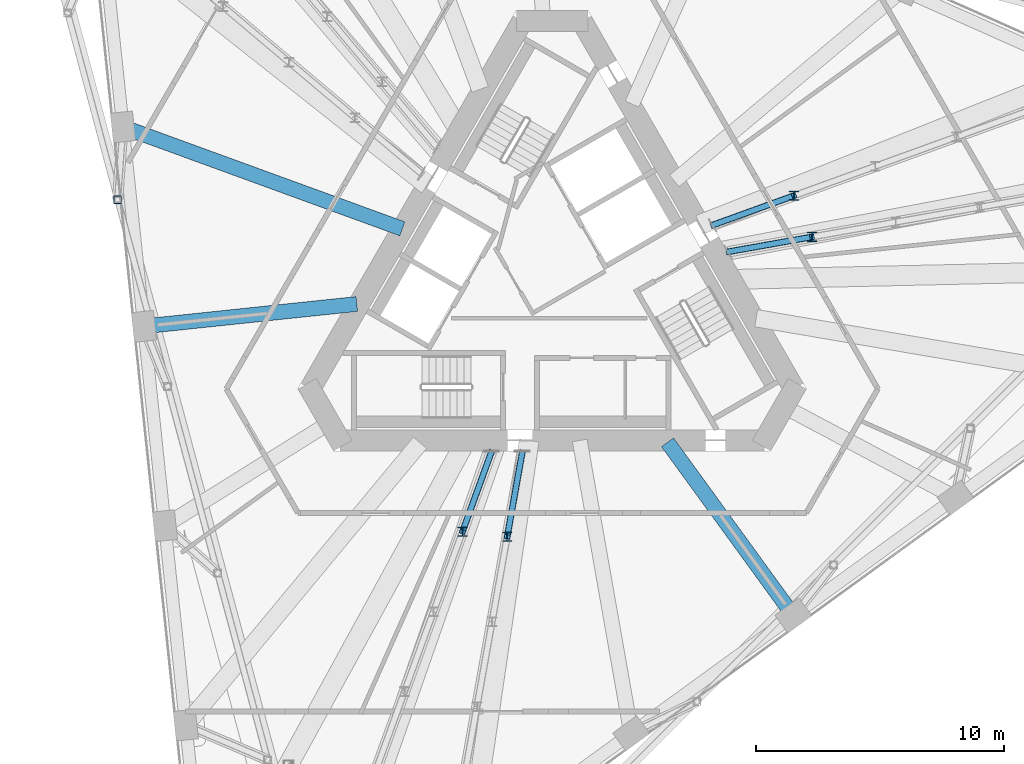
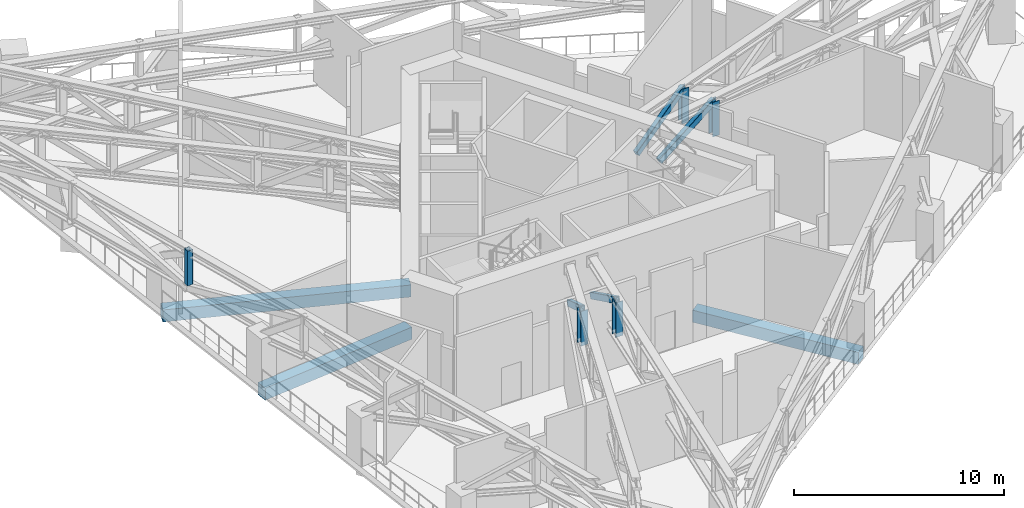
# One storey, part 6 of 26: 9 members, 3 beams.
"""IFC4 building model written with IfcOpenShell, lengths in metres."""

from ifc_helpers import new_model, si_unit, direction, frame, origin, origin_2d, place, context, subcontext, project, spatial, rectangle, hollow_rectangle, i_section, extrude, material, material_profile, profile_set, type_object, element, save


model = new_model("IFC4")

# Units and contexts
model_context = context("Model", 3, precision=1e-05, world=origin(), true_north=direction((0.0, 1.0)))
body_context = subcontext(model_context, "Body", "Model", "MODEL_VIEW")
ifc_project = project(units=[si_unit("LENGTHUNIT", "METRE"), si_unit("AREAUNIT", "SQUARE_METRE"), si_unit("VOLUMEUNIT", "CUBIC_METRE"), si_unit("PLANEANGLEUNIT", "RADIAN"), si_unit("MASSUNIT", "GRAM", prefix="KILO")], contexts=[model_context])

# Site, building, storey
site_placement = place(None, origin())
site = spatial("IfcSite", under=ifc_project, at=site_placement, CompositionType="ELEMENT")
building_placement = place(site_placement, origin())
building = spatial("IfcBuilding", under=site, at=building_placement, Name="Tramontana Tower", CompositionType="ELEMENT")
storey_placement = place(building_placement, frame((0.0, 0.0, 194.800048828125)))
storey = spatial("IfcBuildingStorey", under=building, at=storey_placement, Name="L45", CompositionType="ELEMENT", Elevation=194.800048828125)

# Member
ifc_material_1 = material(Name="Steel ASTM A500 Grade C", Category="steel")
ifc_material_profile_1 = material_profile(ifc_material_1, hollow_rectangle(XDim=0.3046875, YDim=0.3046875, WallThickness=0.01171875, InnerFilletRadius=0.01171875, OuterFilletRadius=0.023681640625, at=origin_2d()), Name="HSS12X12X1/2")
ifc_profile_set_1 = profile_set([ifc_material_profile_1], Name="Steel ASTM A500 Grade C")
member_type_1 = type_object("IfcMemberType", Name="Belt truss HSS12X12X1/2 post", PredefinedType="POST", material=ifc_profile_set_1)
member_1_placement = place(storey_placement, frame((-17.5205078125, 3.37451171875, 2.8349609375), z_axis=(0.0, 0.0, 1.0), x_axis=(1.0, 0.0, 0.0)))
element("IfcMember", 1, at=member_1_placement, inside=storey, type_object=member_type_1, Name="Belt truss post C5F02", PredefinedType="POST", context=body_context, shape_type="SweptSolid", body=[
    extrude(hollow_rectangle(XDim=0.3046875, YDim=0.3046875, WallThickness=0.01171875, InnerFilletRadius=0.01171875, OuterFilletRadius=0.023681640625, at=origin_2d()), origin(), (0.0, 0.0, 1.0), 2.014892578125),
])

# Beams
ifc_material_2 = material(Name="Concrete 40 MPa", Category="concrete")
ifc_material_profile_2 = material_profile(ifc_material_2, rectangle(XDim=0.60009765625, YDim=0.699951171875, at=origin_2d()), Name="RC GIRDER 600X700 40 MPa")
ifc_profile_set_2 = profile_set([ifc_material_profile_2], Name="Concrete 40 MPa")
beam_type = type_object("IfcBeamType", Name="RC GIRDER 600X700 40 MPa", PredefinedType="BEAM", material=ifc_profile_set_2)
beam_1_placement = place(storey_placement, frame((-17.30419921875, 6.30859375, -0.699951171875), z_axis=(0.939513090247, -0.342512997205, 0.0), x_axis=(0.342512997205, 0.939513090247, 0.0)))
element("IfcBeam", 2, at=beam_1_placement, inside=storey, type_object=beam_type, Name="Radial girder C4F02 L45", PredefinedType="BEAM", context=body_context, shape_type="SweptSolid", body=[
    extrude(rectangle(XDim=0.60009765625, YDim=0.699951171875, at=origin_2d()), origin(), (0.0, 0.0, 1.0), 11.989990234375),
])
beam_2_placement = place(storey_placement, frame((-16.459228515625, -1.72998046875, -0.699951171875), z_axis=(0.994520630985, 0.104540492367, 0.0), x_axis=(-0.104540492367, 0.994520630985, 0.0)))
element("IfcBeam", 3, at=beam_2_placement, inside=storey, type_object=beam_type, Name="Radial girder C4F03 L45", PredefinedType="BEAM", context=body_context, shape_type="SweptSolid", body=[
    extrude(rectangle(XDim=0.60009765625, YDim=0.699951171875, at=origin_2d()), origin(), (0.0, 0.0, 1.0), 8.631591796875),
])
beam_3_placement = place(storey_placement, frame((9.727783203125, -13.38916015625, -0.699951171875), z_axis=(-0.587793224159, 0.809011202415, 0.0), x_axis=(-0.809011202415, -0.587793224159, 0.0)))
element("IfcBeam", 4, at=beam_3_placement, inside=storey, type_object=beam_type, Name="Radial girder C4F08 L45", PredefinedType="BEAM", context=body_context, shape_type="SweptSolid", body=[
    extrude(rectangle(XDim=0.60009765625, YDim=0.699951171875, at=origin_2d()), origin(), (0.0, 0.0, 1.0), 8.63134765625),
])

# Members
ifc_material_3 = material(Name="Steel ASTM A500 Grade C", Category="steel")
ifc_material_profile_3 = material_profile(ifc_material_3, hollow_rectangle(XDim=0.25390625, YDim=0.355712890625, WallThickness=0.01171875, InnerFilletRadius=0.01171875, OuterFilletRadius=0.023681640625, at=origin_2d()), Name="HSS14X10X1/2")
ifc_profile_set_3 = profile_set([ifc_material_profile_3], Name="Steel ASTM A500 Grade C")
member_type_2 = type_object("IfcMemberType", Name="Transfer truss HSS14X10X1/2 brace", PredefinedType="BRACE", material=ifc_profile_set_3)
member_2_placement = place(storey_placement, frame((-2.44482421875, -6.7900390625, 2.617431640625), z_axis=(-0.294173942075, -0.810313820405, 0.506806870775), x_axis=(0.939974217125, -0.341245470504, 0.0)))
element("IfcMember", 5, at=member_2_placement, inside=storey, type_object=member_type_2, Name="Transfer truss diagonal 1.1", PredefinedType="BRACE", context=body_context, shape_type="SweptSolid", body=[
    extrude(hollow_rectangle(XDim=0.25390625, YDim=0.355712890625, WallThickness=0.01171875, InnerFilletRadius=0.01171875, OuterFilletRadius=0.023681640625, at=origin_2d()), origin(), (0.0, 0.0, 1.0), 3.97607421875),
])
member_3_placement = place(storey_placement, frame((-1.200927734375, -6.7900390625, 2.617431640625), z_axis=(-0.15192568776, -0.852009939705, 0.500996654722), x_axis=(0.984471324564, -0.175545467364, 0.0)))
element("IfcMember", 6, at=member_3_placement, inside=storey, type_object=member_type_2, Name="Transfer truss diagonal 2.1", PredefinedType="BRACE", context=body_context, shape_type="SweptSolid", body=[
    extrude(hollow_rectangle(XDim=0.25390625, YDim=0.355712890625, WallThickness=0.01171875, InnerFilletRadius=0.01171875, OuterFilletRadius=0.023681640625, at=origin_2d()), origin(), (0.0, 0.0, 1.0), 4.022216796875),
])
member_4_placement = place(storey_placement, frame((7.102783203125, 1.277587890625, 2.617431640625), z_axis=(0.848826899929, 0.15043590168, 0.50681548264), x_axis=(-0.174508561805, 0.984655656489, 0.0)))
element("IfcMember", 7, at=member_4_placement, inside=storey, type_object=member_type_2, Name="Transfer truss diagonal 3.1", PredefinedType="BRACE", context=body_context, shape_type="SweptSolid", body=[
    extrude(hollow_rectangle(XDim=0.25390625, YDim=0.355712890625, WallThickness=0.01171875, InnerFilletRadius=0.01171875, OuterFilletRadius=0.023681640625, at=origin_2d()), origin(), (0.0, 0.0, 1.0), 3.97607421875),
])
member_5_placement = place(storey_placement, frame((6.480712890625, 2.35498046875, 2.617431640625), z_axis=(0.813845319497, 0.294426403526, 0.500967951908), x_axis=(-0.340194137881, 0.940355224663, 0.0)))
element("IfcMember", 8, at=member_5_placement, inside=storey, type_object=member_type_2, Name="Transfer truss diagonal 4.1", PredefinedType="BRACE", context=body_context, shape_type="SweptSolid", body=[
    extrude(hollow_rectangle(XDim=0.25390625, YDim=0.355712890625, WallThickness=0.01171875, InnerFilletRadius=0.01171875, OuterFilletRadius=0.023681640625, at=origin_2d()), origin(), (0.0, 0.0, 1.0), 4.0224609375),
])
ifc_material_4 = material(Name="Steel ASTM A992 Grade 50", Category="steel")
ifc_material_profile_4 = material_profile(ifc_material_4, i_section(OverallWidth=0.374755859375, OverallDepth=0.37158203125, WebThickness=0.015869140625, FlangeThickness=0.025390625, FilletRadius=0.01513671875, at=origin_2d()), Name="W14X132")
ifc_profile_set_4 = profile_set([ifc_material_profile_4], Name="Steel ASTM A992 Grade 50")
member_type_3 = type_object("IfcMemberType", Name="Transfer truss W14X132 post", PredefinedType="POST", material=ifc_profile_set_4)
for number, where, z_axis, x_axis, name in (
    (9, (-3.614501953125, -10.011962890625, 2.617431640625), (0.0, 0.0, 1.0), (1.0, 0.0, 0.0), "Transfer truss post 1.1"),
    (10, (-1.81201171875, -10.217041015625, 2.617431640625), (0.0, 0.0, 1.0), (1.0, 0.0, 0.0), "Transfer truss post 2.1"),
    (11, (10.477783203125, 1.875732421875, 2.617431640625), (0.0, 0.0, 1.0), (1.0, 0.0, 0.0), "Transfer truss post 3.1"),
    (12, (9.75439453125, 3.539306640625, 2.617431640625), (0.0, 0.0, 1.0), (1.0, 0.0, 0.0), "Transfer truss post 4.1"),
):
    element("IfcMember", number, at=place(storey_placement, frame(where, z_axis=z_axis, x_axis=x_axis)), inside=storey, type_object=member_type_3, Name=name, PredefinedType="POST", context=body_context, shape_type="SweptSolid", body=[
        extrude(i_section(OverallWidth=0.374755859375, OverallDepth=0.37158203125, WebThickness=0.015869140625, FlangeThickness=0.025390625, FilletRadius=0.01513671875, at=origin_2d()), origin(), (0.0, 0.0, 1.0), 2.01513671875),
    ])

save(model, "model.ifc")
